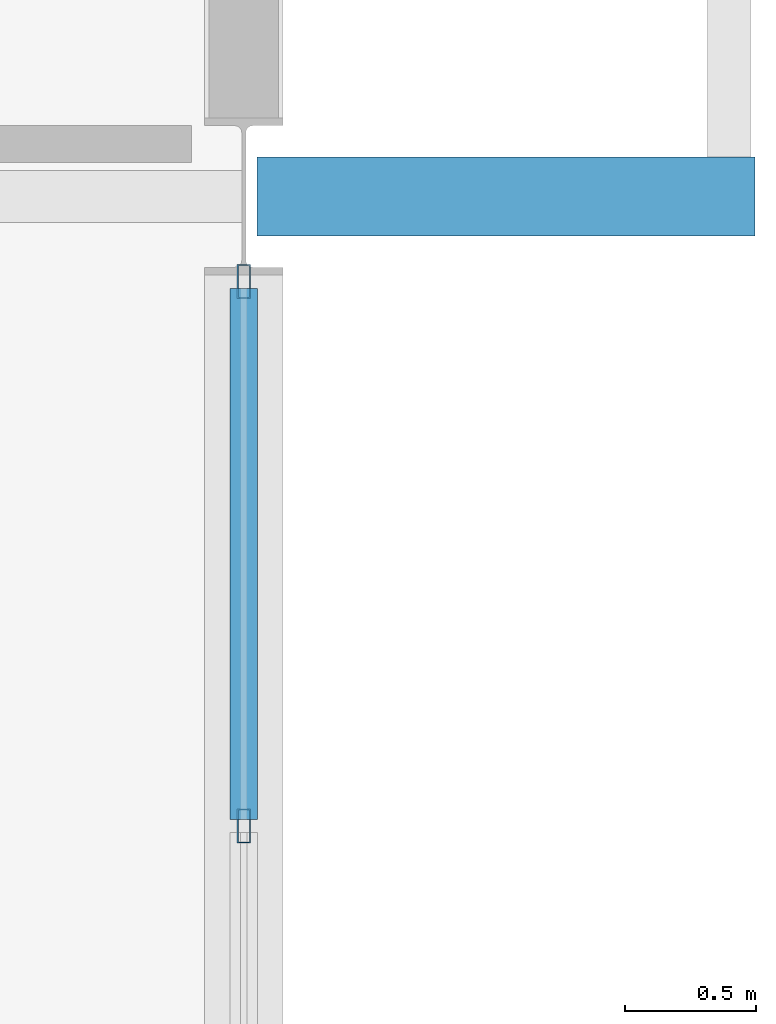
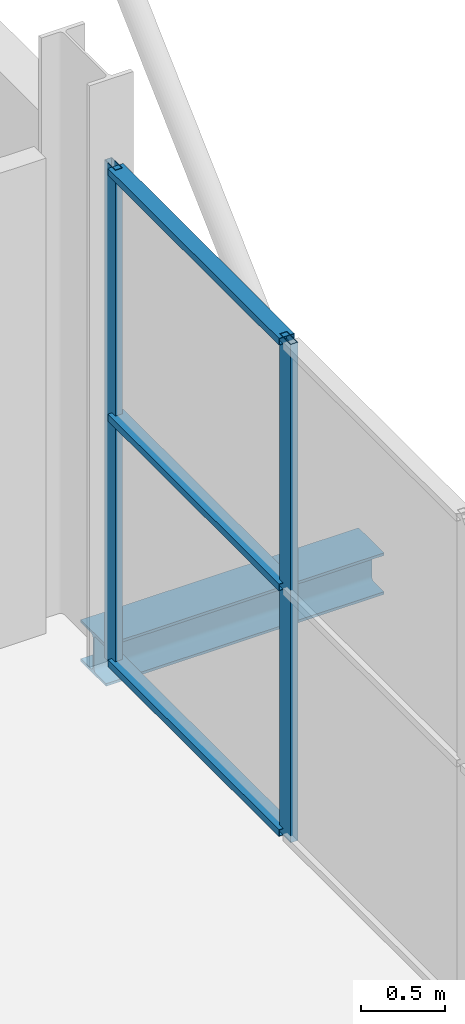
# One storey, part 36 of 59: 5 members, 1 beam, 1 element without a shape of its own.
"""IFC4 building model written with IfcOpenShell, lengths in metres."""

from ifc_helpers import new_model, si_unit, direction, frame, origin, origin_2d, place, context, subcontext, project, spatial, hollow_rectangle, i_section, extrude, material, layer, layer_set, material_profile, profile_set, type_object, element, aggregate, save


model = new_model("IFC4")

# Units and contexts
model_context = context("Model", 3, precision=1e-05, world=origin(), true_north=direction((0.0, 1.0)))
body_context = subcontext(model_context, "Body", "Model", "MODEL_VIEW")
ifc_project = project(units=[si_unit("LENGTHUNIT", "METRE"), si_unit("AREAUNIT", "SQUARE_METRE"), si_unit("VOLUMEUNIT", "CUBIC_METRE"), si_unit("PLANEANGLEUNIT", "RADIAN"), si_unit("MASSUNIT", "GRAM", prefix="KILO")], contexts=[model_context])

# Site, building, storey
site_placement = place(None, origin())
site = spatial("IfcSite", under=ifc_project, at=site_placement, CompositionType="ELEMENT")
building_placement = place(site_placement, origin())
building = spatial("IfcBuilding", under=site, at=building_placement, Name="Deido Ridge Mobility Hub", CompositionType="ELEMENT")
storey_placement = place(building_placement, frame((0.0, 0.0, 21.0)))
storey = spatial("IfcBuildingStorey", under=building, at=storey_placement, Name="L05", CompositionType="ELEMENT", Elevation=21.0)

# Curtain wall, members
ifc_material_1 = material(Name="Anodised aluminium EN AW-6063 T6", Category="aluminium")
ifc_layer = layer(ifc_material_1, 0.1650390625, Name="Anodised aluminium EN AW-6063 T6")
ifc_layer_set = layer_set([ifc_layer], Name="Anodised aluminium EN AW-6063 T6")
curtain_wall_type = type_object("IfcCurtainWallType", Name="CW-UF-1", PredefinedType="USERDEFINED", material=ifc_layer_set)
curtain_wall_placement = place(storey_placement, origin())
curtain_wall = element("IfcCurtainWall", 1, at=curtain_wall_placement, inside=storey, type_object=curtain_wall_type, Name="Unitised curtain wall CW1", ObjectType="UNITISED FACADE", PredefinedType="USERDEFINED")
ifc_material_profile_1 = material_profile(ifc_material_1, hollow_rectangle(XDim=0.050048828125, YDim=0.1298828125, WallThickness=0.00390625, at=origin_2d()), Name="RHS 50x130x4")
ifc_profile_set_1 = profile_set([ifc_material_profile_1], Name="Anodised aluminium EN AW-6063 T6")
member_type_1 = type_object("IfcMemberType", Name="MEM-MUL-50X130", PredefinedType="MULLION", material=ifc_profile_set_1)
member_1_placement = place(storey_placement, frame((180.0, 15.60009765625, 0.0), z_axis=(0.0, 0.0, 1.0), x_axis=(-1.0, 0.0, 0.0)))
member_1 = element("IfcMember", 2, at=member_1_placement, type_object=member_type_1, Name="CW1 mullion 4", PredefinedType="MULLION", context=body_context, shape_type="SweptSolid", body=[
    extrude(hollow_rectangle(XDim=0.050048828125, YDim=0.1298828125, WallThickness=0.00390625, at=origin_2d()), origin(), (0.0, 0.0, 1.0), 3.60009765625),
])
member_2_placement = place(storey_placement, frame((180.0, 17.675048828125, 0.0), z_axis=(0.0, 0.0, 1.0), x_axis=(-1.0, 0.0, 0.0)))
member_2 = element("IfcMember", 3, at=member_2_placement, type_object=member_type_1, Name="CW1 mullion 5", PredefinedType="MULLION", context=body_context, shape_type="SweptSolid", body=[
    extrude(hollow_rectangle(XDim=0.050048828125, YDim=0.1298828125, WallThickness=0.00390625, at=origin_2d()), origin(), (0.0, 0.0, 1.0), 3.60009765625),
])
ifc_material_profile_2 = material_profile(ifc_material_1, hollow_rectangle(XDim=0.10498046875, YDim=0.050048828125, WallThickness=0.00390625, at=origin_2d()), Name="RHS 105x50x4")
ifc_profile_set_2 = profile_set([ifc_material_profile_2], Name="Anodised aluminium EN AW-6063 T6")
member_type_2 = type_object("IfcMemberType", Name="MEM-TRN-105X50", PredefinedType="USERDEFINED", material=ifc_profile_set_2)
member_3_placement = place(storey_placement, frame((180.0, 15.625, 0.02490234375), z_axis=(0.0, 1.0, 0.0), x_axis=(-1.0, 0.0, 0.0)))
member_3 = element("IfcMember", 4, at=member_3_placement, type_object=member_type_2, Name="CW1 transom 4.1", ObjectType="TRANSOM", PredefinedType="USERDEFINED", context=body_context, shape_type="SweptSolid", body=[
    extrude(hollow_rectangle(XDim=0.10498046875, YDim=0.050048828125, WallThickness=0.00390625, at=origin_2d()), origin(), (0.0, 0.0, 1.0), 2.02490234375),
])
member_4_placement = place(storey_placement, frame((180.0, 15.625, 1.800048828125), z_axis=(0.0, 1.0, 0.0), x_axis=(-1.0, 0.0, 0.0)))
member_4 = element("IfcMember", 5, at=member_4_placement, type_object=member_type_2, Name="CW1 transom 4.2", ObjectType="TRANSOM", PredefinedType="USERDEFINED", context=body_context, shape_type="SweptSolid", body=[
    extrude(hollow_rectangle(XDim=0.10498046875, YDim=0.050048828125, WallThickness=0.00390625, at=origin_2d()), origin(), (0.0, 0.0, 1.0), 2.02490234375),
])
member_5_placement = place(storey_placement, frame((180.0, 15.625, 3.574951171875), z_axis=(0.0, 1.0, 0.0), x_axis=(-1.0, 0.0, 0.0)))
member_5 = element("IfcMember", 6, at=member_5_placement, type_object=member_type_2, Name="CW1 transom 4.3", ObjectType="TRANSOM", PredefinedType="USERDEFINED", context=body_context, shape_type="SweptSolid", body=[
    extrude(hollow_rectangle(XDim=0.10498046875, YDim=0.050048828125, WallThickness=0.00390625, at=origin_2d()), origin(), (0.0, 0.0, 1.0), 2.02490234375),
])
aggregate(curtain_wall, [member_1, member_2, member_3, member_4, member_5])

# Beam
ifc_material_2 = material(Name="Steel S355J2 EN 10025-2", Category="steel")
ifc_material_profile_3 = material_profile(ifc_material_2, i_section(OverallWidth=0.300048828125, OverallDepth=0.300048828125, WebThickness=0.010986328125, FlangeThickness=0.01904296875, FilletRadius=0.027099609375, at=origin_2d()), Name="HEB 300")
ifc_profile_set_3 = profile_set([ifc_material_profile_3], Name="Steel S355J2 EN 10025-2")
beam_type = type_object("IfcBeamType", Name="SPD-HEB300", PredefinedType="SPANDREL", material=ifc_profile_set_3)
beam_placement = place(storey_placement, frame((180.050048828125, 18.0, -0.14990234375), z_axis=(1.0, 0.0, 0.0), x_axis=(0.0, 1.0, 0.0)))
element("IfcBeam", 7, at=beam_placement, inside=storey, type_object=beam_type, Name="Exoskeleton outrigger beam SP1", PredefinedType="SPANDREL", context=body_context, shape_type="SweptSolid", body=[
    extrude(i_section(OverallWidth=0.300048828125, OverallDepth=0.300048828125, WebThickness=0.010986328125, FlangeThickness=0.01904296875, FilletRadius=0.027099609375, at=origin_2d()), origin(), (0.0, 0.0, 1.0), 1.89990234375),
])

save(model, "model.ifc")
